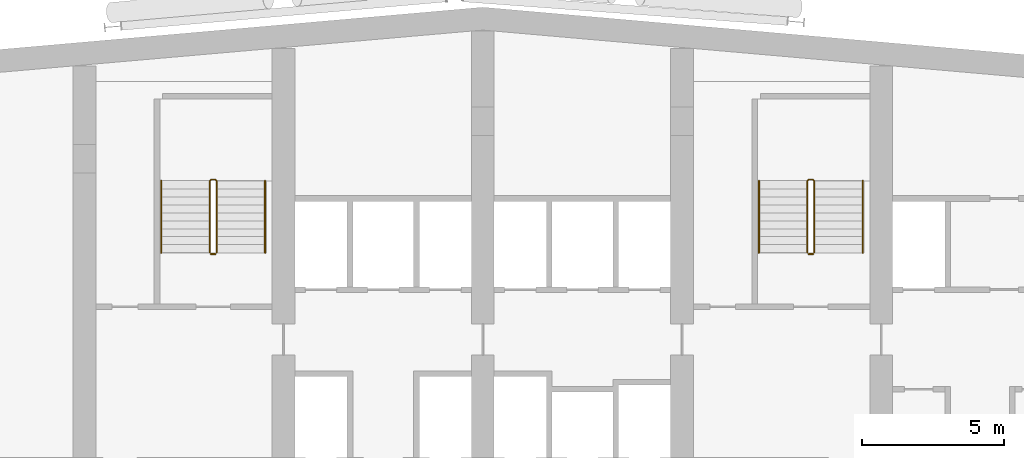
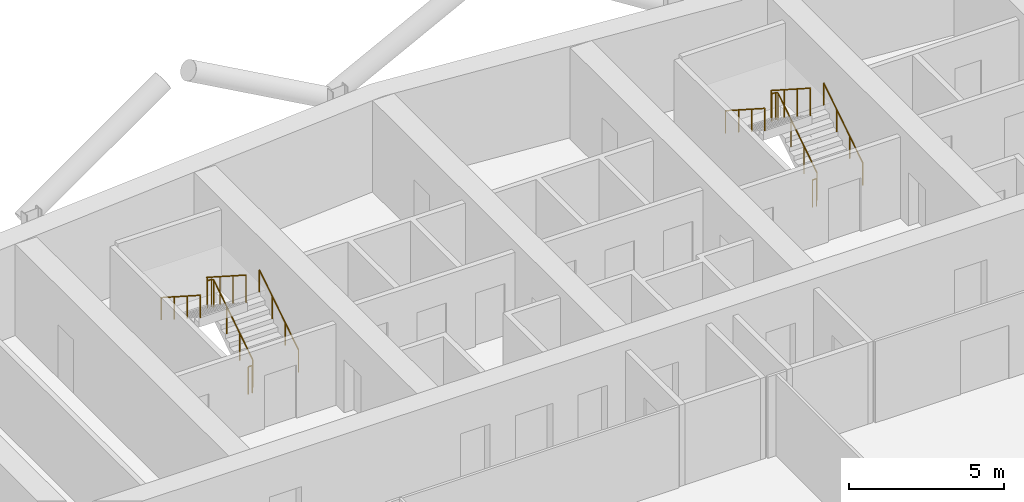
# One storey, part 26 of 26: 8 railings.
"""IFC4 building model written with IfcOpenShell, lengths in metres."""

from ifc_helpers import new_model, si_unit, direction, frame, origin, origin_2d, place, context, subcontext, project, spatial, circle, extrude, material, type_object, element, save


model = new_model("IFC4")

# Units and contexts
model_context = context("Model", 3, precision=1e-05, world=origin(), true_north=direction((0.0, 1.0)))
body_context = subcontext(model_context, "Body", "Model", "MODEL_VIEW")
ifc_project = project(units=[si_unit("LENGTHUNIT", "METRE"), si_unit("AREAUNIT", "SQUARE_METRE"), si_unit("VOLUMEUNIT", "CUBIC_METRE"), si_unit("PLANEANGLEUNIT", "RADIAN"), si_unit("MASSUNIT", "GRAM", prefix="KILO")], contexts=[model_context])

# Site, building, storey
site_placement = place(None, origin())
site = spatial("IfcSite", under=ifc_project, at=site_placement, CompositionType="ELEMENT")
building_placement = place(site_placement, origin())
building = spatial("IfcBuilding", under=site, at=building_placement, Name="Wharfspan Tower", CompositionType="ELEMENT")
storey_placement = place(building_placement, frame((0.0, 0.0, 177.100098)))
storey = spatial("IfcBuildingStorey", under=building, at=storey_placement, Name="L43", CompositionType="ELEMENT", Elevation=177.100098)

# Railings
ifc_material = material(Name="Steel S355J2", Category="steel")
railing_type_1 = type_object("IfcRailingType", Name="Stair guard 1100", PredefinedType="GUARDRAIL", material=ifc_material)
railing_1_placement = place(storey_placement, frame((27.649902, 42.0, 0.179932)))
element("IfcRailing", 1, at=railing_1_placement, inside=storey, type_object=railing_type_1, Name="L43 ST1 stair guard 1", PredefinedType="GUARDRAIL", context=body_context, shape_type="SweptSolid", body=[
    extrude(circle(Radius=0.023926, at=origin_2d()), frame((0.0, 0.0, 1.076172), z_axis=(0.0, 0.8412, 0.540725), x_axis=(-1.0, 0.0, 0.0)), (0.0, 0.0, 1.0), 2.99585),
    extrude(circle(Radius=0.023926, at=origin_2d()), frame((0.0, 2.52002, 2.695801), z_axis=(-0.705376, 0.708834, 0.0), x_axis=(-0.708834, -0.705376, 0.0)), (0.0, 0.0, 1.0), 0.070557),
    extrude(circle(Radius=0.023926, at=origin_2d()), frame((-0.049805, 2.570068, 2.695801), z_axis=(-1.0, 0.0, 0.0), x_axis=(0.0, -1.0, 0.0)), (0.0, 0.0, 1.0), 0.150146),
    extrude(circle(Radius=0.023926, at=origin_2d()), frame((-0.199951, 2.570068, 2.695801), z_axis=(-0.258544, -0.258544, 0.930758), x_axis=(0.707107, -0.707107, 0.0)), (0.0, 0.0, 1.0), 0.193604),
    extrude(circle(Radius=0.023926, at=origin_2d()), frame((-0.25, 2.52002, 2.875977), z_axis=(0.0, -0.8412, 0.540725), x_axis=(1.0, 0.0, 0.0)), (0.0, 0.0, 1.0), 2.99585),
    extrude(circle(Radius=0.020996, at=origin_2d()), origin(), (0.0, 0.0, 1.0), 1.052002),
    extrude(circle(Radius=0.020996, at=origin_2d()), frame((0.0, 0.840088, 0.540039)), (0.0, 0.0, 1.0), 1.052002),
    extrude(circle(Radius=0.020996, at=origin_2d()), frame((0.0, 1.679932, 1.079834)), (0.0, 0.0, 1.0), 1.052002),
    extrude(circle(Radius=0.020996, at=origin_2d()), frame((0.0, 2.52002, 1.619873)), (0.0, 0.0, 1.0), 1.052002),
    extrude(circle(Radius=0.020996, at=origin_2d()), frame((-0.049805, 2.570068, 1.619873)), (0.0, 0.0, 1.0), 1.052002),
    extrude(circle(Radius=0.020996, at=origin_2d()), frame((-0.199951, 2.570068, 1.619873)), (0.0, 0.0, 1.0), 1.052002),
    extrude(circle(Radius=0.020996, at=origin_2d()), frame((-0.25, 2.52002, 1.800049)), (0.0, 0.0, 1.0), 1.052002),
    extrude(circle(Radius=0.020996, at=origin_2d()), frame((-0.25, 1.679932, 2.340088)), (0.0, 0.0, 1.0), 1.052002),
    extrude(circle(Radius=0.020996, at=origin_2d()), frame((-0.25, 0.840088, 2.879883)), (0.0, 0.0, 1.0), 1.052002),
    extrude(circle(Radius=0.020996, at=origin_2d()), frame((-0.25, 0.0, 3.419922)), (0.0, 0.0, 1.0), 1.052002),
])
railing_2_placement = place(storey_placement, frame((27.600098, 41.949951, 0.0)))
element("IfcRailing", 2, at=railing_2_placement, inside=storey, type_object=railing_type_1, Name="L43 ST1 stair guard 2", PredefinedType="GUARDRAIL", context=body_context, shape_type="SweptSolid", body=[
    extrude(circle(Radius=0.023926, at=origin_2d()), frame((0.0, 0.0, 1.076172), z_axis=(-1.0, 0.0, 0.0), x_axis=(0.0, -1.0, 0.0)), (0.0, 0.0, 1.0), 0.150146),
    extrude(circle(Radius=0.020996, at=origin_2d()), origin(), (0.0, 0.0, 1.0), 1.052002),
    extrude(circle(Radius=0.020996, at=origin_2d()), frame((-0.150146, 0.0, 0.0)), (0.0, 0.0, 1.0), 1.052002),
])
railing_3_placement = place(storey_placement, frame((48.649902, 42.0, 0.179932)))
element("IfcRailing", 3, at=railing_3_placement, inside=storey, type_object=railing_type_1, Name="L43 ST2 stair guard 1", PredefinedType="GUARDRAIL", context=body_context, shape_type="SweptSolid", body=[
    extrude(circle(Radius=0.023926, at=origin_2d()), frame((0.0, 0.0, 1.076172), z_axis=(0.0, 0.8412, 0.540725), x_axis=(-1.0, 0.0, 0.0)), (0.0, 0.0, 1.0), 2.99585),
    extrude(circle(Radius=0.023926, at=origin_2d()), frame((0.0, 2.52002, 2.695801), z_axis=(-0.705376, 0.708834, 0.0), x_axis=(-0.708834, -0.705376, 0.0)), (0.0, 0.0, 1.0), 0.070557),
    extrude(circle(Radius=0.023926, at=origin_2d()), frame((-0.049805, 2.570068, 2.695801), z_axis=(-1.0, 0.0, 0.0), x_axis=(0.0, -1.0, 0.0)), (0.0, 0.0, 1.0), 0.150146),
    extrude(circle(Radius=0.023926, at=origin_2d()), frame((-0.199951, 2.570068, 2.695801), z_axis=(-0.258544, -0.258544, 0.930758), x_axis=(0.707107, -0.707107, 0.0)), (0.0, 0.0, 1.0), 0.193604),
    extrude(circle(Radius=0.023926, at=origin_2d()), frame((-0.25, 2.52002, 2.875977), z_axis=(0.0, -0.8412, 0.540725), x_axis=(1.0, 0.0, 0.0)), (0.0, 0.0, 1.0), 2.99585),
    extrude(circle(Radius=0.020996, at=origin_2d()), origin(), (0.0, 0.0, 1.0), 1.052002),
    extrude(circle(Radius=0.020996, at=origin_2d()), frame((0.0, 0.840088, 0.540039)), (0.0, 0.0, 1.0), 1.052002),
    extrude(circle(Radius=0.020996, at=origin_2d()), frame((0.0, 1.679932, 1.079834)), (0.0, 0.0, 1.0), 1.052002),
    extrude(circle(Radius=0.020996, at=origin_2d()), frame((0.0, 2.52002, 1.619873)), (0.0, 0.0, 1.0), 1.052002),
    extrude(circle(Radius=0.020996, at=origin_2d()), frame((-0.049805, 2.570068, 1.619873)), (0.0, 0.0, 1.0), 1.052002),
    extrude(circle(Radius=0.020996, at=origin_2d()), frame((-0.199951, 2.570068, 1.619873)), (0.0, 0.0, 1.0), 1.052002),
    extrude(circle(Radius=0.020996, at=origin_2d()), frame((-0.25, 2.52002, 1.800049)), (0.0, 0.0, 1.0), 1.052002),
    extrude(circle(Radius=0.020996, at=origin_2d()), frame((-0.25, 1.679932, 2.340088)), (0.0, 0.0, 1.0), 1.052002),
    extrude(circle(Radius=0.020996, at=origin_2d()), frame((-0.25, 0.840088, 2.879883)), (0.0, 0.0, 1.0), 1.052002),
    extrude(circle(Radius=0.020996, at=origin_2d()), frame((-0.25, 0.0, 3.419922)), (0.0, 0.0, 1.0), 1.052002),
])
railing_4_placement = place(storey_placement, frame((48.600098, 41.949951, 0.0)))
element("IfcRailing", 4, at=railing_4_placement, inside=storey, type_object=railing_type_1, Name="L43 ST2 stair guard 2", PredefinedType="GUARDRAIL", context=body_context, shape_type="SweptSolid", body=[
    extrude(circle(Radius=0.023926, at=origin_2d()), frame((0.0, 0.0, 1.076172), z_axis=(-1.0, 0.0, 0.0), x_axis=(0.0, -1.0, 0.0)), (0.0, 0.0, 1.0), 0.150146),
    extrude(circle(Radius=0.020996, at=origin_2d()), origin(), (0.0, 0.0, 1.0), 1.052002),
    extrude(circle(Radius=0.020996, at=origin_2d()), frame((-0.150146, 0.0, 0.0)), (0.0, 0.0, 1.0), 1.052002),
])
railing_type_2 = type_object("IfcRailingType", Name="Stair handrail 900", PredefinedType="HANDRAIL", material=ifc_material)
railing_5_placement = place(storey_placement, frame((29.350098, 42.0, 0.179932)))
element("IfcRailing", 5, at=railing_5_placement, inside=storey, type_object=railing_type_2, Name="L43 ST1 stair handrail 1", PredefinedType="HANDRAIL", context=body_context, shape_type="SweptSolid", body=[
    extrude(circle(Radius=0.023926, at=origin_2d()), frame((0.0, 0.0, 0.875977), z_axis=(0.0, 0.8412, 0.540725), x_axis=(-1.0, 0.0, 0.0)), (0.0, 0.0, 1.0), 2.99585),
    extrude(circle(Radius=0.020996, at=origin_2d()), origin(), (0.0, 0.0, 1.0), 0.851807),
    extrude(circle(Radius=0.020996, at=origin_2d()), frame((0.0, 0.840088, 0.540039)), (0.0, 0.0, 1.0), 0.851807),
    extrude(circle(Radius=0.020996, at=origin_2d()), frame((0.0, 1.679932, 1.079834)), (0.0, 0.0, 1.0), 0.851807),
    extrude(circle(Radius=0.020996, at=origin_2d()), frame((0.0, 2.52002, 1.619873)), (0.0, 0.0, 1.0), 0.851807),
])
railing_6_placement = place(storey_placement, frame((25.699951, 44.52002, 1.97998)))
element("IfcRailing", 6, at=railing_6_placement, inside=storey, type_object=railing_type_2, Name="L43 ST1 stair handrail 2", PredefinedType="HANDRAIL", context=body_context, shape_type="SweptSolid", body=[
    extrude(circle(Radius=0.023926, at=origin_2d()), frame((0.0, 0.0, 0.875977), z_axis=(0.0, -0.8412, 0.540725), x_axis=(1.0, 0.0, 0.0)), (0.0, 0.0, 1.0), 2.99585),
    extrude(circle(Radius=0.020996, at=origin_2d()), origin(), (0.0, 0.0, 1.0), 0.851807),
    extrude(circle(Radius=0.020996, at=origin_2d()), frame((0.0, -0.840088, 0.540039)), (0.0, 0.0, 1.0), 0.851807),
    extrude(circle(Radius=0.020996, at=origin_2d()), frame((0.0, -1.679932, 1.079834)), (0.0, 0.0, 1.0), 0.851807),
    extrude(circle(Radius=0.020996, at=origin_2d()), frame((0.0, -2.52002, 1.619873)), (0.0, 0.0, 1.0), 0.851807),
])
railing_7_placement = place(storey_placement, frame((50.350098, 42.0, 0.179932)))
element("IfcRailing", 7, at=railing_7_placement, inside=storey, type_object=railing_type_2, Name="L43 ST2 stair handrail 1", PredefinedType="HANDRAIL", context=body_context, shape_type="SweptSolid", body=[
    extrude(circle(Radius=0.023926, at=origin_2d()), frame((0.0, 0.0, 0.875977), z_axis=(0.0, 0.8412, 0.540725), x_axis=(-1.0, 0.0, 0.0)), (0.0, 0.0, 1.0), 2.99585),
    extrude(circle(Radius=0.020996, at=origin_2d()), origin(), (0.0, 0.0, 1.0), 0.851807),
    extrude(circle(Radius=0.020996, at=origin_2d()), frame((0.0, 0.840088, 0.540039)), (0.0, 0.0, 1.0), 0.851807),
    extrude(circle(Radius=0.020996, at=origin_2d()), frame((0.0, 1.679932, 1.079834)), (0.0, 0.0, 1.0), 0.851807),
    extrude(circle(Radius=0.020996, at=origin_2d()), frame((0.0, 2.52002, 1.619873)), (0.0, 0.0, 1.0), 0.851807),
])
railing_8_placement = place(storey_placement, frame((46.699951, 44.52002, 1.97998)))
element("IfcRailing", 8, at=railing_8_placement, inside=storey, type_object=railing_type_2, Name="L43 ST2 stair handrail 2", PredefinedType="HANDRAIL", context=body_context, shape_type="SweptSolid", body=[
    extrude(circle(Radius=0.023926, at=origin_2d()), frame((0.0, 0.0, 0.875977), z_axis=(0.0, -0.8412, 0.540725), x_axis=(1.0, 0.0, 0.0)), (0.0, 0.0, 1.0), 2.99585),
    extrude(circle(Radius=0.020996, at=origin_2d()), origin(), (0.0, 0.0, 1.0), 0.851807),
    extrude(circle(Radius=0.020996, at=origin_2d()), frame((0.0, -0.840088, 0.540039)), (0.0, 0.0, 1.0), 0.851807),
    extrude(circle(Radius=0.020996, at=origin_2d()), frame((0.0, -1.679932, 1.079834)), (0.0, 0.0, 1.0), 0.851807),
    extrude(circle(Radius=0.020996, at=origin_2d()), frame((0.0, -2.52002, 1.619873)), (0.0, 0.0, 1.0), 0.851807),
])

save(model, "model.ifc")
